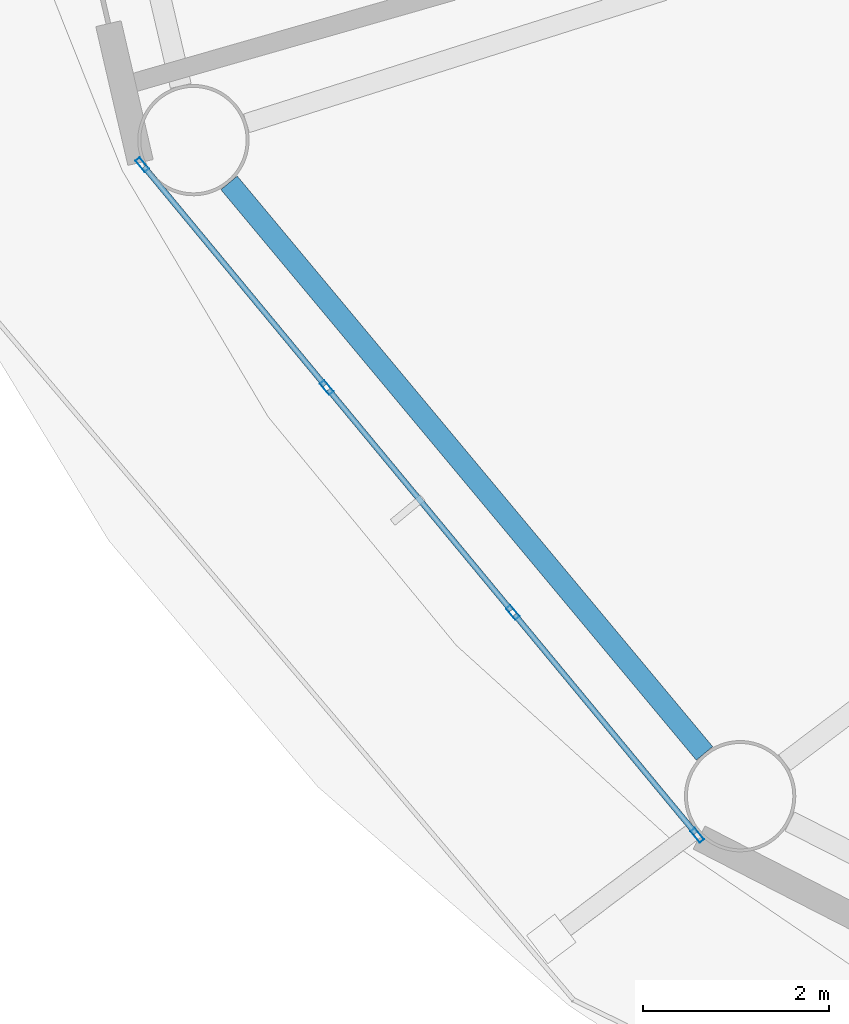
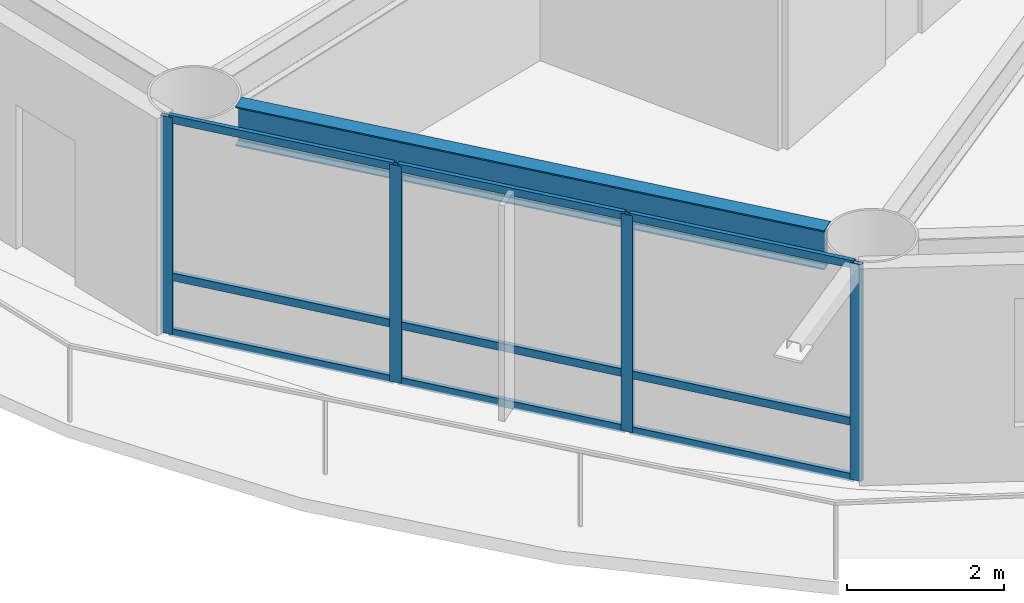
# One storey, part 2 of 24: 13 members, 1 beam, 1 element without a shape of its own.
"""IFC4 building model written with IfcOpenShell, lengths in metres."""

from ifc_helpers import new_model, si_unit, direction, frame, origin, origin_2d, place, context, subcontext, project, spatial, hollow_rectangle, i_section, extrude, material, layer, layer_set, material_profile, profile_set, type_object, element, aggregate, save


model = new_model("IFC4")

# Units and contexts
model_context = context("Model", 3, precision=1e-05, world=origin(), true_north=direction((0.0, 1.0)))
body_context = subcontext(model_context, "Body", "Model", "MODEL_VIEW")
ifc_project = project(units=[si_unit("LENGTHUNIT", "METRE"), si_unit("AREAUNIT", "SQUARE_METRE"), si_unit("VOLUMEUNIT", "CUBIC_METRE"), si_unit("PLANEANGLEUNIT", "RADIAN"), si_unit("MASSUNIT", "GRAM", prefix="KILO")], contexts=[model_context])

# Site, building, storey
site_placement = place(None, origin())
site = spatial("IfcSite", under=ifc_project, at=site_placement, CompositionType="ELEMENT")
building_placement = place(site_placement, origin())
building = spatial("IfcBuilding", under=site, at=building_placement, Name="Sarneth Arch Tower", CompositionType="ELEMENT")
storey_placement = place(building_placement, frame((0.0, 0.0, 98.39990234375)))
storey = spatial("IfcBuildingStorey", under=building, at=storey_placement, Name="L24", CompositionType="ELEMENT", Elevation=98.39990234375)

# Beam
ifc_material_1 = material(Name="Steel S355", Category="steel")
ifc_material_profile_1 = material_profile(ifc_material_1, i_section(OverallWidth=0.22900390625, OverallDepth=0.612060546875, WebThickness=0.011962890625, FlangeThickness=0.01953125, FilletRadius=0.01904296875, at=origin_2d()), Name="W610x125")
ifc_profile_set_1 = profile_set([ifc_material_profile_1], Name="Steel S355")
beam_type = type_object("IfcBeamType", Name="BM-SPAN-610C", PredefinedType="SPANDREL", material=ifc_profile_set_1)
beam_placement = place(storey_placement, frame((22.093017578125, 33.196533203125, 3.07421875), z_axis=(0.640163403463, -0.768238775946, 0.0), x_axis=(0.768238775946, 0.640163403463, 0.0)))
element("IfcBeam", 1, at=beam_placement, inside=storey, type_object=beam_type, Name="L24 Perimeter spandrel beam 10", PredefinedType="SPANDREL", context=body_context, shape_type="SweptSolid", body=[
    extrude(i_section(OverallWidth=0.22900390625, OverallDepth=0.612060546875, WebThickness=0.011962890625, FlangeThickness=0.01953125, FilletRadius=0.01904296875, at=origin_2d()), origin(), (0.0, 0.0, 1.0), 8.006103515625),
])

# Curtain wall, members
ifc_material_2 = material(Name="Anodised aluminium Type AA25 and solar-control low-e laminated IGU", Category="aluminium")
ifc_layer = layer(ifc_material_2, 0.159912109375)
ifc_layer_set = layer_set([ifc_layer], Name="Anodised aluminium Type AA25 and solar-control low-e laminated IGU")
curtain_wall_type = type_object("IfcCurtainWallType", Name="CW-HOTEL-MID", PredefinedType="NOTDEFINED", material=ifc_layer_set)
curtain_wall_placement = place(storey_placement, origin())
curtain_wall = element("IfcCurtainWall", 2, at=curtain_wall_placement, inside=storey, type_object=curtain_wall_type, Name="L24 Unitised curtain wall facet 10", PredefinedType="NOTDEFINED")
ifc_material_3 = material(Name="Anodised Aluminium 6063-T6", Category="aluminium")
ifc_material_profile_2 = material_profile(ifc_material_3, hollow_rectangle(XDim=0.06005859375, YDim=0.159912109375, WallThickness=0.00390625, at=origin_2d()), Name="AL-MULL-160x60x4")
ifc_profile_set_2 = profile_set([ifc_material_profile_2], Name="Anodised Aluminium 6063-T6")
member_type_1 = type_object("IfcMemberType", Name="CW-MULLION", PredefinedType="MULLION", material=ifc_profile_set_2)
member_1_placement = place(storey_placement, frame((21.15771484375, 33.393310546875, 0.0), z_axis=(0.0, 0.0, 1.0), x_axis=(0.770437787363, 0.637515188684, 0.0)))
member_1 = element("IfcMember", 3, at=member_1_placement, type_object=member_type_1, Name="CW-SYS-4 mullion 1", PredefinedType="MULLION", context=body_context, shape_type="SweptSolid", body=[
    extrude(hollow_rectangle(XDim=0.06005859375, YDim=0.159912109375, WallThickness=0.00390625, at=origin_2d()), origin(), (0.0, 0.0, 1.0), 3.380126953125),
])
member_2_placement = place(storey_placement, frame((23.145751953125, 30.99072265625, 0.0), z_axis=(0.0, 0.0, 1.0), x_axis=(0.770437787363, 0.637515188684, 0.0)))
member_2 = element("IfcMember", 4, at=member_2_placement, type_object=member_type_1, Name="CW-SYS-4 mullion 2", PredefinedType="MULLION", context=body_context, shape_type="SweptSolid", body=[
    extrude(hollow_rectangle(XDim=0.06005859375, YDim=0.159912109375, WallThickness=0.00390625, at=origin_2d()), origin(), (0.0, 0.0, 1.0), 3.380126953125),
])
member_3_placement = place(storey_placement, frame((25.15283203125, 28.565185546875, 0.0), z_axis=(0.0, 0.0, 1.0), x_axis=(0.770437787363, 0.637515188684, 0.0)))
member_3 = element("IfcMember", 5, at=member_3_placement, type_object=member_type_1, Name="CW-SYS-4 mullion 3", PredefinedType="MULLION", context=body_context, shape_type="SweptSolid", body=[
    extrude(hollow_rectangle(XDim=0.06005859375, YDim=0.159912109375, WallThickness=0.00390625, at=origin_2d()), origin(), (0.0, 0.0, 1.0), 3.380126953125),
])
member_4_placement = place(storey_placement, frame((27.140869140625, 26.16259765625, 0.0), z_axis=(0.0, 0.0, 1.0), x_axis=(0.770437787363, 0.637515188684, 0.0)))
member_4 = element("IfcMember", 6, at=member_4_placement, type_object=member_type_1, Name="CW-SYS-4 mullion 4", PredefinedType="MULLION", context=body_context, shape_type="SweptSolid", body=[
    extrude(hollow_rectangle(XDim=0.06005859375, YDim=0.159912109375, WallThickness=0.00390625, at=origin_2d()), origin(), (0.0, 0.0, 1.0), 3.380126953125),
])
ifc_material_4 = material(Name="Anodised Aluminium 6063-T6", Category="aluminium")
ifc_material_profile_3 = material_profile(ifc_material_4, hollow_rectangle(XDim=0.06005859375, YDim=0.1201171875, WallThickness=0.00390625, at=origin_2d()), Name="AL-TRAN-120x60x4")
ifc_profile_set_3 = profile_set([ifc_material_profile_3], Name="Anodised Aluminium 6063-T6")
member_type_2 = type_object("IfcMemberType", Name="CW-TRANSOM", PredefinedType="USERDEFINED", material=ifc_profile_set_3)
member_5_placement = place(storey_placement, frame((21.1767578125, 33.3701171875, 0.030029296875), z_axis=(0.637566080343, -0.770395673142, 0.0), x_axis=(0.770395673142, 0.637566080343, 0.0)))
member_5 = element("IfcMember", 7, at=member_5_placement, type_object=member_type_2, Name="CW-SYS-4 transom 1.1", ObjectType="TRANSOM", PredefinedType="USERDEFINED", context=body_context, shape_type="SweptSolid", body=[
    extrude(hollow_rectangle(XDim=0.06005859375, YDim=0.1201171875, WallThickness=0.00390625, at=origin_2d()), origin(), (0.0, 0.0, 1.0), 3.058349609375),
])
member_6_placement = place(storey_placement, frame((21.1767578125, 33.3701171875, 0.900146484375), z_axis=(0.637566080343, -0.770395673142, 0.0), x_axis=(0.770395673142, 0.637566080343, 0.0)))
member_6 = element("IfcMember", 8, at=member_6_placement, type_object=member_type_2, Name="CW-SYS-4 transom 1.2", ObjectType="TRANSOM", PredefinedType="USERDEFINED", context=body_context, shape_type="SweptSolid", body=[
    extrude(hollow_rectangle(XDim=0.06005859375, YDim=0.1201171875, WallThickness=0.00390625, at=origin_2d()), origin(), (0.0, 0.0, 1.0), 3.058349609375),
])
member_7_placement = place(storey_placement, frame((21.1767578125, 33.3701171875, 3.35009765625), z_axis=(0.637566080343, -0.770395673142, 0.0), x_axis=(0.770395673142, 0.637566080343, 0.0)))
member_7 = element("IfcMember", 9, at=member_7_placement, type_object=member_type_2, Name="CW-SYS-4 transom 1.3", ObjectType="TRANSOM", PredefinedType="USERDEFINED", context=body_context, shape_type="SweptSolid", body=[
    extrude(hollow_rectangle(XDim=0.06005859375, YDim=0.1201171875, WallThickness=0.00390625, at=origin_2d()), origin(), (0.0, 0.0, 1.0), 3.058349609375),
])
member_8_placement = place(storey_placement, frame((23.164794921875, 30.9677734375, 0.030029296875), z_axis=(0.637536975021, -0.770419759275, 0.0), x_axis=(0.770419759275, 0.637536975021, 0.0)))
member_8 = element("IfcMember", 10, at=member_8_placement, type_object=member_type_2, Name="CW-SYS-4 transom 2.1", ObjectType="TRANSOM", PredefinedType="USERDEFINED", context=body_context, shape_type="SweptSolid", body=[
    extrude(hollow_rectangle(XDim=0.06005859375, YDim=0.1201171875, WallThickness=0.00390625, at=origin_2d()), origin(), (0.0, 0.0, 1.0), 3.08837890625),
])
member_9_placement = place(storey_placement, frame((23.164794921875, 30.9677734375, 0.900146484375), z_axis=(0.637536975021, -0.770419759275, 0.0), x_axis=(0.770419759275, 0.637536975021, 0.0)))
member_9 = element("IfcMember", 11, at=member_9_placement, type_object=member_type_2, Name="CW-SYS-4 transom 2.2", ObjectType="TRANSOM", PredefinedType="USERDEFINED", context=body_context, shape_type="SweptSolid", body=[
    extrude(hollow_rectangle(XDim=0.06005859375, YDim=0.1201171875, WallThickness=0.00390625, at=origin_2d()), origin(), (0.0, 0.0, 1.0), 3.08837890625),
])
member_10_placement = place(storey_placement, frame((23.164794921875, 30.9677734375, 3.35009765625), z_axis=(0.637536975021, -0.770419759275, 0.0), x_axis=(0.770419759275, 0.637536975021, 0.0)))
member_10 = element("IfcMember", 12, at=member_10_placement, type_object=member_type_2, Name="CW-SYS-4 transom 2.3", ObjectType="TRANSOM", PredefinedType="USERDEFINED", context=body_context, shape_type="SweptSolid", body=[
    extrude(hollow_rectangle(XDim=0.06005859375, YDim=0.1201171875, WallThickness=0.00390625, at=origin_2d()), origin(), (0.0, 0.0, 1.0), 3.08837890625),
])
member_11_placement = place(storey_placement, frame((25.171875, 28.5419921875, 0.030029296875), z_axis=(0.637566080343, -0.770395673142, 0.0), x_axis=(0.770395673142, 0.637566080343, 0.0)))
member_11 = element("IfcMember", 13, at=member_11_placement, type_object=member_type_2, Name="CW-SYS-4 transom 3.1", ObjectType="TRANSOM", PredefinedType="USERDEFINED", context=body_context, shape_type="SweptSolid", body=[
    extrude(hollow_rectangle(XDim=0.06005859375, YDim=0.1201171875, WallThickness=0.00390625, at=origin_2d()), origin(), (0.0, 0.0, 1.0), 3.058349609375),
])
member_12_placement = place(storey_placement, frame((25.171875, 28.5419921875, 0.900146484375), z_axis=(0.637566080343, -0.770395673142, 0.0), x_axis=(0.770395673142, 0.637566080343, 0.0)))
member_12 = element("IfcMember", 14, at=member_12_placement, type_object=member_type_2, Name="CW-SYS-4 transom 3.2", ObjectType="TRANSOM", PredefinedType="USERDEFINED", context=body_context, shape_type="SweptSolid", body=[
    extrude(hollow_rectangle(XDim=0.06005859375, YDim=0.1201171875, WallThickness=0.00390625, at=origin_2d()), origin(), (0.0, 0.0, 1.0), 3.058349609375),
])
member_13_placement = place(storey_placement, frame((25.171875, 28.5419921875, 3.35009765625), z_axis=(0.637566080343, -0.770395673142, 0.0), x_axis=(0.770395673142, 0.637566080343, 0.0)))
member_13 = element("IfcMember", 15, at=member_13_placement, type_object=member_type_2, Name="CW-SYS-4 transom 3.3", ObjectType="TRANSOM", PredefinedType="USERDEFINED", context=body_context, shape_type="SweptSolid", body=[
    extrude(hollow_rectangle(XDim=0.06005859375, YDim=0.1201171875, WallThickness=0.00390625, at=origin_2d()), origin(), (0.0, 0.0, 1.0), 3.058349609375),
])
aggregate(curtain_wall, [member_1, member_2, member_3, member_4, member_5, member_6, member_7, member_8, member_9, member_10, member_11, member_12, member_13])

save(model, "model.ifc")
